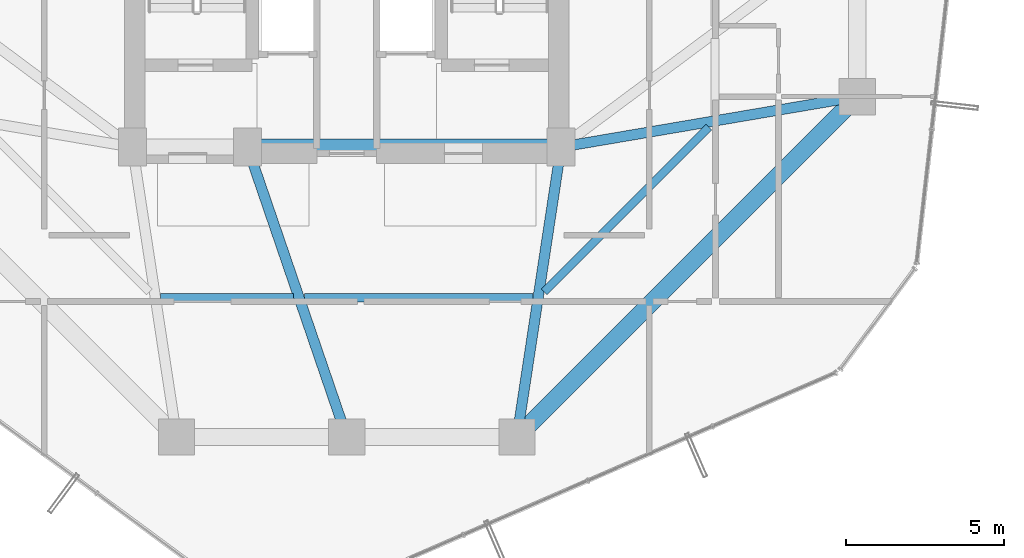
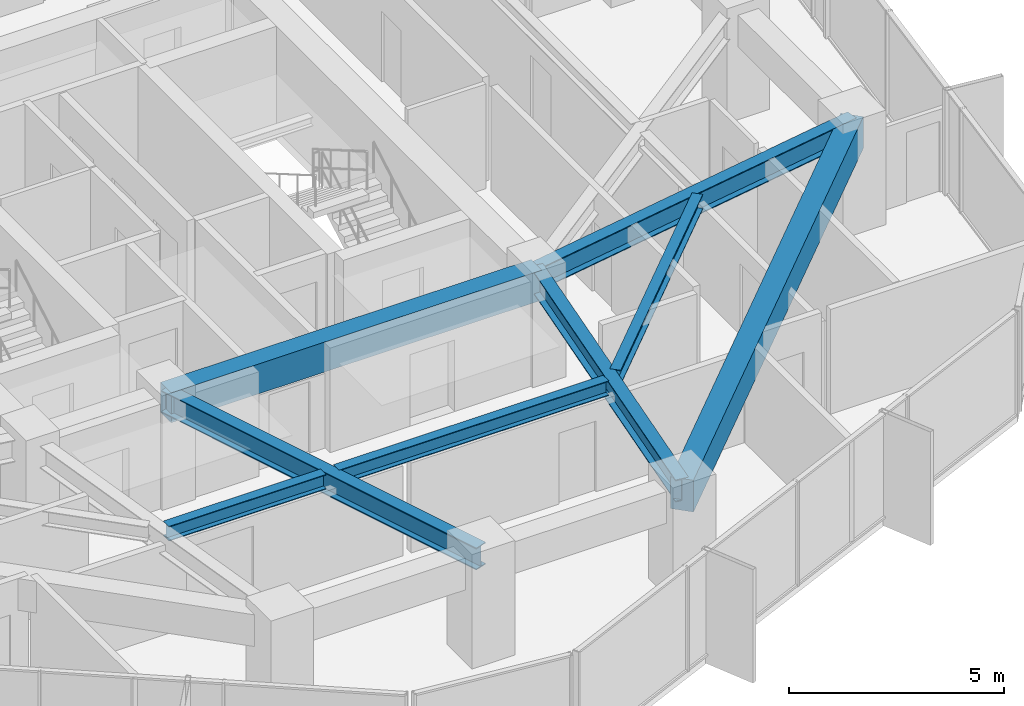
# One storey, part 9 of 29: 8 beams.
"""IFC4 building model written with IfcOpenShell, lengths in metres."""

from ifc_helpers import new_model, si_unit, direction, frame, origin, origin_2d, place, context, subcontext, project, spatial, rectangle, i_section, extrude, material, material_profile, profile_set, type_object, element, save


model = new_model("IFC4")

# Units and contexts
model_context = context("Model", 3, precision=1e-05, world=origin(), true_north=direction((0.0, 1.0)))
body_context = subcontext(model_context, "Body", "Model", "MODEL_VIEW")
ifc_project = project(units=[si_unit("LENGTHUNIT", "METRE"), si_unit("AREAUNIT", "SQUARE_METRE"), si_unit("VOLUMEUNIT", "CUBIC_METRE"), si_unit("PLANEANGLEUNIT", "RADIAN"), si_unit("MASSUNIT", "GRAM", prefix="KILO")], contexts=[model_context])

# Site, building, storey
site_placement = place(None, origin())
site = spatial("IfcSite", under=ifc_project, at=site_placement, CompositionType="ELEMENT")
building_placement = place(site_placement, origin())
building = spatial("IfcBuilding", under=site, at=building_placement, Name="Veraguas Prism Commons", CompositionType="ELEMENT")
storey_placement = place(building_placement, frame((0.0, 0.0, 105.699951171875)))
storey = spatial("IfcBuildingStorey", under=building, at=storey_placement, Name="L29", CompositionType="ELEMENT", Elevation=105.699951171875)

# Beams
ifc_material_1 = material(Name="Concrete C50/60", Category="concrete")
ifc_material_profile_1 = material_profile(ifc_material_1, rectangle(XDim=0.5, YDim=0.85009765625, at=origin_2d()), Name="RC500X850")
ifc_profile_set_1 = profile_set([ifc_material_profile_1], Name="Concrete C50/60")
beam_type_1 = type_object("IfcBeamType", Name="Core Coupling Beam RC 500x850", PredefinedType="BEAM", material=ifc_profile_set_1)
beam_1_placement = place(storey_placement, frame((20.85009765625, 17.0, 2.545166015625), z_axis=(1.0, 0.0, 0.0), x_axis=(0.0, 1.0, 0.0)))
element("IfcBeam", 1, at=beam_1_placement, inside=storey, type_object=beam_type_1, Name="Core Coupling Beam L29-CRS2", PredefinedType="BEAM", context=body_context, shape_type="SweptSolid", body=[
    extrude(rectangle(XDim=0.5, YDim=0.85009765625, at=origin_2d()), origin(), (0.0, 0.0, 1.0), 9.949951171875),
])
ifc_material_2 = material(Name="Steel ASTM A992 Grade 50", Category="steel")
ifc_material_profile_2 = material_profile(ifc_material_2, i_section(OverallWidth=0.260986328125, OverallDepth=0.419921875, WebThickness=0.01171875, FlangeThickness=0.019287109375, at=origin_2d()), Name="W410X114")
ifc_profile_set_2 = profile_set([ifc_material_profile_2], Name="Steel ASTM A992 Grade 50")
beam_type_2 = type_object("IfcBeamType", Name="Lower Floor Joist W410x114", PredefinedType="JOIST", material=ifc_profile_set_2)
beam_2_placement = place(storey_placement, frame((18.091796875, 12.216064453125, 2.760009765625), z_axis=(1.0, 0.0, 0.0), x_axis=(0.0, 1.0, 0.0)))
element("IfcBeam", 2, at=beam_2_placement, inside=storey, type_object=beam_type_2, Name="Composite Floor Joist L29-JS10", PredefinedType="JOIST", context=body_context, shape_type="SweptSolid", body=[
    extrude(i_section(OverallWidth=0.260986328125, OverallDepth=0.419921875, WebThickness=0.01171875, FlangeThickness=0.019287109375, at=origin_2d()), origin(), (0.0, 0.0, 1.0), 4.22509765625),
])
beam_3_placement = place(storey_placement, frame((22.6591796875, 12.216064453125, 2.760009765625), z_axis=(1.0, 0.0, 0.0), x_axis=(0.0, 1.0, 0.0)))
element("IfcBeam", 3, at=beam_3_placement, inside=storey, type_object=beam_type_2, Name="Composite Floor Joist L29-JS11", PredefinedType="JOIST", context=body_context, shape_type="SweptSolid", body=[
    extrude(i_section(OverallWidth=0.260986328125, OverallDepth=0.419921875, WebThickness=0.01171875, FlangeThickness=0.019287109375, at=origin_2d()), origin(), (0.0, 0.0, 1.0), 7.2490234375),
])
beam_4_placement = place(storey_placement, frame((30.265380859375, 12.4091796875, 2.760009765625), z_axis=(0.707090260193, 0.707123301794, 0.0), x_axis=(-0.707123301794, 0.707090260193, 0.0)))
element("IfcBeam", 4, at=beam_4_placement, inside=storey, type_object=beam_type_2, Name="Composite Floor Joist L29-JS12", PredefinedType="JOIST", context=body_context, shape_type="SweptSolid", body=[
    extrude(i_section(OverallWidth=0.260986328125, OverallDepth=0.419921875, WebThickness=0.01171875, FlangeThickness=0.019287109375, at=origin_2d()), origin(), (0.0, 0.0, 1.0), 7.388916015625),
])
ifc_material_profile_3 = material_profile(ifc_material_1, rectangle(XDim=0.550048828125, YDim=0.89990234375, at=origin_2d()), Name="RC550X900")
ifc_profile_set_3 = profile_set([ifc_material_profile_3], Name="Concrete C50/60")
beam_type_3 = type_object("IfcBeamType", Name="Perimeter Spandrel Lower RC 550x900", PredefinedType="SPANDREL", material=ifc_profile_set_3)
beam_5_placement = place(storey_placement, frame((29.39990234375, 7.800048828125, 2.52001953125), z_axis=(0.707106781187, 0.707106781187, 0.0), x_axis=(-0.707106781187, 0.707106781187, 0.0)))
element("IfcBeam", 5, at=beam_5_placement, inside=storey, type_object=beam_type_3, Name="Perimeter Spandrel Beam L29-SP12", PredefinedType="SPANDREL", context=body_context, shape_type="SweptSolid", body=[
    extrude(rectangle(XDim=0.550048828125, YDim=0.89990234375, at=origin_2d()), origin(), (0.0, 0.0, 1.0), 15.273681640625),
])
ifc_material_profile_4 = material_profile(ifc_material_2, i_section(OverallWidth=0.327880859375, OverallDepth=0.6220703125, WebThickness=0.015380859375, FlangeThickness=0.0244140625, at=origin_2d()), Name="W610X195")
ifc_profile_set_4 = profile_set([ifc_material_profile_4], Name="Steel ASTM A992 Grade 50")
beam_type_4 = type_object("IfcBeamType", Name="Zone 2 Radial Girder W610x195", PredefinedType="BEAM", material=ifc_profile_set_4)
beam_6_placement = place(storey_placement, frame((40.199951171875, 18.60009765625, 2.658935546875), z_axis=(-0.985819187151, -0.1678109956, 0.0), x_axis=(0.1678109956, -0.985819187151, 0.0)))
element("IfcBeam", 6, at=beam_6_placement, inside=storey, type_object=beam_type_4, Name="Radial Floor Girder L29-RD01", PredefinedType="BEAM", context=body_context, shape_type="SweptSolid", body=[
    extrude(i_section(OverallWidth=0.327880859375, OverallDepth=0.6220703125, WebThickness=0.015380859375, FlangeThickness=0.0244140625, at=origin_2d()), origin(), (0.0, 0.0, 1.0), 9.53515625),
])
beam_7_placement = place(storey_placement, frame((24.0, 7.800048828125, 2.658935546875), z_axis=(-0.323922482989, 0.946083624747, 0.0), x_axis=(-0.946083624747, -0.323922482989, 0.0)))
element("IfcBeam", 7, at=beam_7_placement, inside=storey, type_object=beam_type_4, Name="Radial Floor Girder L29-RD11", PredefinedType="BEAM", context=body_context, shape_type="SweptSolid", body=[
    extrude(i_section(OverallWidth=0.327880859375, OverallDepth=0.6220703125, WebThickness=0.015380859375, FlangeThickness=0.0244140625, at=origin_2d()), origin(), (0.0, 0.0, 1.0), 9.724365234375),
])
beam_8_placement = place(storey_placement, frame((29.39990234375, 7.800048828125, 2.658935546875), z_axis=(0.150458162136, 0.98861637729, 0.0), x_axis=(-0.98861637729, 0.150458162136, 0.0)))
element("IfcBeam", 8, at=beam_8_placement, inside=storey, type_object=beam_type_4, Name="Radial Floor Girder L29-RD12", PredefinedType="BEAM", context=body_context, shape_type="SweptSolid", body=[
    extrude(i_section(OverallWidth=0.327880859375, OverallDepth=0.6220703125, WebThickness=0.015380859375, FlangeThickness=0.0244140625, at=origin_2d()), origin(), (0.0, 0.0, 1.0), 9.305908203125),
])

save(model, "model.ifc")
